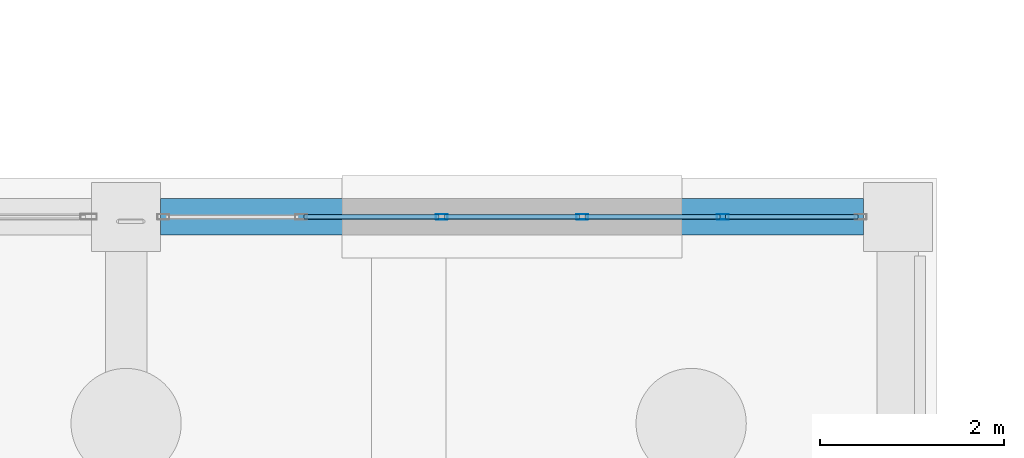
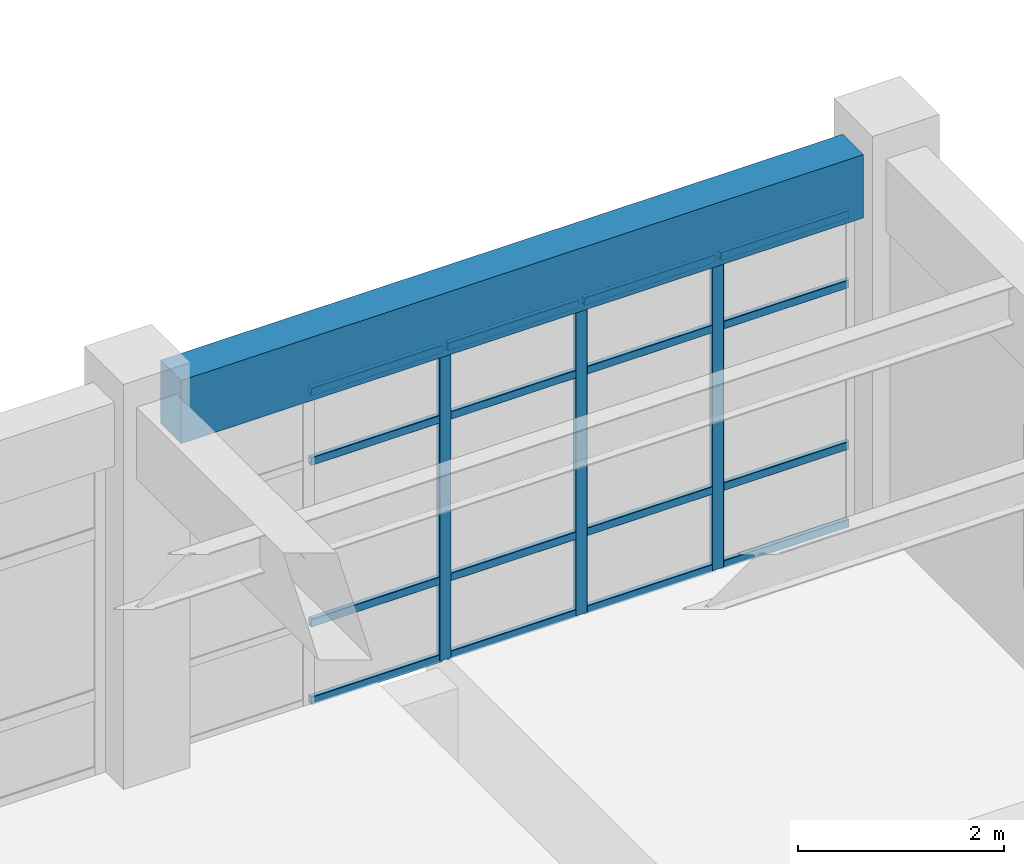
# One storey, part 40 of 111: 19 members, 1 beam, 1 element without a shape of its own.
"""IFC4 building model written with IfcOpenShell, lengths in metres."""

from ifc_helpers import new_model, si_unit, direction, frame, origin, origin_2d, place, context, subcontext, project, spatial, rectangle, hollow_rectangle, extrude, material, material_profile, profile_set, type_object, element, aggregate, save


model = new_model("IFC4")

# Units and contexts
model_context = context("Model", 3, precision=1e-05, world=origin(), true_north=direction((0.0, 1.0)))
body_context = subcontext(model_context, "Body", "Model", "MODEL_VIEW")
ifc_project = project(units=[si_unit("LENGTHUNIT", "METRE"), si_unit("AREAUNIT", "SQUARE_METRE"), si_unit("VOLUMEUNIT", "CUBIC_METRE"), si_unit("PLANEANGLEUNIT", "RADIAN"), si_unit("MASSUNIT", "GRAM", prefix="KILO")], contexts=[model_context])

# Site, building, storey
site_placement = place(None, origin())
site = spatial("IfcSite", under=ifc_project, at=site_placement, CompositionType="ELEMENT")
building_placement = place(site_placement, origin())
building = spatial("IfcBuilding", under=site, at=building_placement, Name="Canglan Escarpment Cableway Terminal", CompositionType="ELEMENT")
storey_placement = place(building_placement, frame((0.0, 0.0, 4.800048828125)))
storey = spatial("IfcBuildingStorey", under=building, at=storey_placement, Name="L01", CompositionType="ELEMENT", Elevation=4.800048828125)

# Curtain wall, members
ifc_material_1 = material(Name="Anodized bronze aluminium and Low-E double glazing", Category="aluminium")
curtain_wall_type = type_object("IfcCurtainWallType", Name="CW-BAY-7650x3725", PredefinedType="NOTDEFINED", material=ifc_material_1)
curtain_wall_placement = place(storey_placement, origin())
curtain_wall = element("IfcCurtainWall", 1, at=curtain_wall_placement, inside=storey, type_object=curtain_wall_type, Name="Classical bay-between-piers glazed curtain wall CW-01", PredefinedType="NOTDEFINED")
ifc_material_2 = material(Name="Thermally broken anodized aluminium 6063-T6", Category="aluminium")
ifc_material_profile_1 = material_profile(ifc_material_2, hollow_rectangle(XDim=0.06005859375, YDim=0.1298828125, WallThickness=0.0029296875, InnerFilletRadius=0.0029296875, OuterFilletRadius=0.006103515625, at=origin_2d()), Name="ALU-MULL 60x130x3")
ifc_profile_set_1 = profile_set([ifc_material_profile_1], Name="Thermally broken anodized aluminium 6063-T6")
member_type_1 = type_object("IfcMemberType", Name="CWM-01", PredefinedType="MULLION", material=ifc_profile_set_1)
member_1_placement = place(storey_placement, frame((134.794921875, 33.10009765625, 0.0), z_axis=(0.0, 0.0, 1.0), x_axis=(0.0, -1.0, 0.0)))
member_1 = element("IfcMember", 2, at=member_1_placement, type_object=member_type_1, Name="CW-01 mullion 2", PredefinedType="MULLION", context=body_context, shape_type="SweptSolid", body=[
    extrude(hollow_rectangle(XDim=0.06005859375, YDim=0.1298828125, WallThickness=0.0029296875, InnerFilletRadius=0.0029296875, OuterFilletRadius=0.006103515625, at=origin_2d()), origin(), (0.0, 0.0, 1.0), 3.71484375),
])
member_2_placement = place(storey_placement, frame((133.264892578125, 33.10009765625, 0.0), z_axis=(0.0, 0.0, 1.0), x_axis=(0.0, -1.0, 0.0)))
member_2 = element("IfcMember", 3, at=member_2_placement, type_object=member_type_1, Name="CW-01 mullion 3", PredefinedType="MULLION", context=body_context, shape_type="SweptSolid", body=[
    extrude(hollow_rectangle(XDim=0.06005859375, YDim=0.1298828125, WallThickness=0.0029296875, InnerFilletRadius=0.0029296875, OuterFilletRadius=0.006103515625, at=origin_2d()), origin(), (0.0, 0.0, 1.0), 3.71484375),
])
member_3_placement = place(storey_placement, frame((131.735107421875, 33.10009765625, 0.0), z_axis=(0.0, 0.0, 1.0), x_axis=(0.0, -1.0, 0.0)))
member_3 = element("IfcMember", 4, at=member_3_placement, type_object=member_type_1, Name="CW-01 mullion 4", PredefinedType="MULLION", context=body_context, shape_type="SweptSolid", body=[
    extrude(hollow_rectangle(XDim=0.06005859375, YDim=0.1298828125, WallThickness=0.0029296875, InnerFilletRadius=0.0029296875, OuterFilletRadius=0.006103515625, at=origin_2d()), origin(), (0.0, 0.0, 1.0), 3.71484375),
])
ifc_material_profile_2 = material_profile(ifc_material_2, hollow_rectangle(XDim=0.054931640625, YDim=0.094970703125, WallThickness=0.0029296875, InnerFilletRadius=0.0029296875, OuterFilletRadius=0.006103515625, at=origin_2d()), Name="ALU-TRAN 55x95x3")
ifc_profile_set_2 = profile_set([ifc_material_profile_2], Name="Thermally broken anodized aluminium 6063-T6")
member_type_2 = type_object("IfcMemberType", Name="CWT-01", PredefinedType="USERDEFINED", material=ifc_profile_set_2)
member_4_placement = place(storey_placement, frame((136.264892578125, 33.10009765625, 0.02734375), z_axis=(-1.0, 0.0, 0.0), x_axis=(0.0, -1.0, 0.0)))
member_4 = element("IfcMember", 5, at=member_4_placement, type_object=member_type_2, Name="CW-01 transom 1.1", ObjectType="TRANSOM", PredefinedType="USERDEFINED", context=body_context, shape_type="SweptSolid", body=[
    extrude(hollow_rectangle(XDim=0.054931640625, YDim=0.094970703125, WallThickness=0.0029296875, InnerFilletRadius=0.0029296875, OuterFilletRadius=0.006103515625, at=origin_2d()), origin(), (0.0, 0.0, 1.0), 1.43994140625),
])
member_5_placement = place(storey_placement, frame((136.264892578125, 33.10009765625, 0.949951171875), z_axis=(-1.0, 0.0, 0.0), x_axis=(0.0, -1.0, 0.0)))
member_5 = element("IfcMember", 6, at=member_5_placement, type_object=member_type_2, Name="CW-01 transom 1.2", ObjectType="TRANSOM", PredefinedType="USERDEFINED", context=body_context, shape_type="SweptSolid", body=[
    extrude(hollow_rectangle(XDim=0.054931640625, YDim=0.094970703125, WallThickness=0.0029296875, InnerFilletRadius=0.0029296875, OuterFilletRadius=0.006103515625, at=origin_2d()), origin(), (0.0, 0.0, 1.0), 1.43994140625),
])
member_6_placement = place(storey_placement, frame((136.264892578125, 33.10009765625, 2.864990234375), z_axis=(-1.0, 0.0, 0.0), x_axis=(0.0, -1.0, 0.0)))
member_6 = element("IfcMember", 7, at=member_6_placement, type_object=member_type_2, Name="CW-01 transom 1.3", ObjectType="TRANSOM", PredefinedType="USERDEFINED", context=body_context, shape_type="SweptSolid", body=[
    extrude(hollow_rectangle(XDim=0.054931640625, YDim=0.094970703125, WallThickness=0.0029296875, InnerFilletRadius=0.0029296875, OuterFilletRadius=0.006103515625, at=origin_2d()), origin(), (0.0, 0.0, 1.0), 1.43994140625),
])
member_7_placement = place(storey_placement, frame((136.264892578125, 33.10009765625, 3.6875), z_axis=(-1.0, 0.0, 0.0), x_axis=(0.0, -1.0, 0.0)))
member_7 = element("IfcMember", 8, at=member_7_placement, type_object=member_type_2, Name="CW-01 transom 1.4", ObjectType="TRANSOM", PredefinedType="USERDEFINED", context=body_context, shape_type="SweptSolid", body=[
    extrude(hollow_rectangle(XDim=0.054931640625, YDim=0.094970703125, WallThickness=0.0029296875, InnerFilletRadius=0.0029296875, OuterFilletRadius=0.006103515625, at=origin_2d()), origin(), (0.0, 0.0, 1.0), 1.43994140625),
])
member_8_placement = place(storey_placement, frame((134.764892578125, 33.10009765625, 0.02734375), z_axis=(-1.0, 0.0, 0.0), x_axis=(0.0, -1.0, 0.0)))
member_8 = element("IfcMember", 9, at=member_8_placement, type_object=member_type_2, Name="CW-01 transom 2.1", ObjectType="TRANSOM", PredefinedType="USERDEFINED", context=body_context, shape_type="SweptSolid", body=[
    extrude(hollow_rectangle(XDim=0.054931640625, YDim=0.094970703125, WallThickness=0.0029296875, InnerFilletRadius=0.0029296875, OuterFilletRadius=0.006103515625, at=origin_2d()), origin(), (0.0, 0.0, 1.0), 1.469970703125),
])
member_9_placement = place(storey_placement, frame((134.764892578125, 33.10009765625, 0.949951171875), z_axis=(-1.0, 0.0, 0.0), x_axis=(0.0, -1.0, 0.0)))
member_9 = element("IfcMember", 10, at=member_9_placement, type_object=member_type_2, Name="CW-01 transom 2.2", ObjectType="TRANSOM", PredefinedType="USERDEFINED", context=body_context, shape_type="SweptSolid", body=[
    extrude(hollow_rectangle(XDim=0.054931640625, YDim=0.094970703125, WallThickness=0.0029296875, InnerFilletRadius=0.0029296875, OuterFilletRadius=0.006103515625, at=origin_2d()), origin(), (0.0, 0.0, 1.0), 1.469970703125),
])
member_10_placement = place(storey_placement, frame((134.764892578125, 33.10009765625, 2.864990234375), z_axis=(-1.0, 0.0, 0.0), x_axis=(0.0, -1.0, 0.0)))
member_10 = element("IfcMember", 11, at=member_10_placement, type_object=member_type_2, Name="CW-01 transom 2.3", ObjectType="TRANSOM", PredefinedType="USERDEFINED", context=body_context, shape_type="SweptSolid", body=[
    extrude(hollow_rectangle(XDim=0.054931640625, YDim=0.094970703125, WallThickness=0.0029296875, InnerFilletRadius=0.0029296875, OuterFilletRadius=0.006103515625, at=origin_2d()), origin(), (0.0, 0.0, 1.0), 1.469970703125),
])
member_11_placement = place(storey_placement, frame((134.764892578125, 33.10009765625, 3.6875), z_axis=(-1.0, 0.0, 0.0), x_axis=(0.0, -1.0, 0.0)))
member_11 = element("IfcMember", 12, at=member_11_placement, type_object=member_type_2, Name="CW-01 transom 2.4", ObjectType="TRANSOM", PredefinedType="USERDEFINED", context=body_context, shape_type="SweptSolid", body=[
    extrude(hollow_rectangle(XDim=0.054931640625, YDim=0.094970703125, WallThickness=0.0029296875, InnerFilletRadius=0.0029296875, OuterFilletRadius=0.006103515625, at=origin_2d()), origin(), (0.0, 0.0, 1.0), 1.469970703125),
])
member_12_placement = place(storey_placement, frame((133.235107421875, 33.10009765625, 0.02734375), z_axis=(-1.0, 0.0, 0.0), x_axis=(0.0, -1.0, 0.0)))
member_12 = element("IfcMember", 13, at=member_12_placement, type_object=member_type_2, Name="CW-01 transom 3.1", ObjectType="TRANSOM", PredefinedType="USERDEFINED", context=body_context, shape_type="SweptSolid", body=[
    extrude(hollow_rectangle(XDim=0.054931640625, YDim=0.094970703125, WallThickness=0.0029296875, InnerFilletRadius=0.0029296875, OuterFilletRadius=0.006103515625, at=origin_2d()), origin(), (0.0, 0.0, 1.0), 1.47021484375),
])
member_13_placement = place(storey_placement, frame((133.235107421875, 33.10009765625, 0.949951171875), z_axis=(-1.0, 0.0, 0.0), x_axis=(0.0, -1.0, 0.0)))
member_13 = element("IfcMember", 14, at=member_13_placement, type_object=member_type_2, Name="CW-01 transom 3.2", ObjectType="TRANSOM", PredefinedType="USERDEFINED", context=body_context, shape_type="SweptSolid", body=[
    extrude(hollow_rectangle(XDim=0.054931640625, YDim=0.094970703125, WallThickness=0.0029296875, InnerFilletRadius=0.0029296875, OuterFilletRadius=0.006103515625, at=origin_2d()), origin(), (0.0, 0.0, 1.0), 1.47021484375),
])
member_14_placement = place(storey_placement, frame((133.235107421875, 33.10009765625, 2.864990234375), z_axis=(-1.0, 0.0, 0.0), x_axis=(0.0, -1.0, 0.0)))
member_14 = element("IfcMember", 15, at=member_14_placement, type_object=member_type_2, Name="CW-01 transom 3.3", ObjectType="TRANSOM", PredefinedType="USERDEFINED", context=body_context, shape_type="SweptSolid", body=[
    extrude(hollow_rectangle(XDim=0.054931640625, YDim=0.094970703125, WallThickness=0.0029296875, InnerFilletRadius=0.0029296875, OuterFilletRadius=0.006103515625, at=origin_2d()), origin(), (0.0, 0.0, 1.0), 1.47021484375),
])
member_15_placement = place(storey_placement, frame((133.235107421875, 33.10009765625, 3.6875), z_axis=(-1.0, 0.0, 0.0), x_axis=(0.0, -1.0, 0.0)))
member_15 = element("IfcMember", 16, at=member_15_placement, type_object=member_type_2, Name="CW-01 transom 3.4", ObjectType="TRANSOM", PredefinedType="USERDEFINED", context=body_context, shape_type="SweptSolid", body=[
    extrude(hollow_rectangle(XDim=0.054931640625, YDim=0.094970703125, WallThickness=0.0029296875, InnerFilletRadius=0.0029296875, OuterFilletRadius=0.006103515625, at=origin_2d()), origin(), (0.0, 0.0, 1.0), 1.47021484375),
])
member_16_placement = place(storey_placement, frame((131.705078125, 33.10009765625, 0.02734375), z_axis=(-1.0, 0.0, 0.0), x_axis=(0.0, -1.0, 0.0)))
member_16 = element("IfcMember", 17, at=member_16_placement, type_object=member_type_2, Name="CW-01 transom 4.1", ObjectType="TRANSOM", PredefinedType="USERDEFINED", context=body_context, shape_type="SweptSolid", body=[
    extrude(hollow_rectangle(XDim=0.054931640625, YDim=0.094970703125, WallThickness=0.0029296875, InnerFilletRadius=0.0029296875, OuterFilletRadius=0.006103515625, at=origin_2d()), origin(), (0.0, 0.0, 1.0), 1.469970703125),
])
member_17_placement = place(storey_placement, frame((131.705078125, 33.10009765625, 0.949951171875), z_axis=(-1.0, 0.0, 0.0), x_axis=(0.0, -1.0, 0.0)))
member_17 = element("IfcMember", 18, at=member_17_placement, type_object=member_type_2, Name="CW-01 transom 4.2", ObjectType="TRANSOM", PredefinedType="USERDEFINED", context=body_context, shape_type="SweptSolid", body=[
    extrude(hollow_rectangle(XDim=0.054931640625, YDim=0.094970703125, WallThickness=0.0029296875, InnerFilletRadius=0.0029296875, OuterFilletRadius=0.006103515625, at=origin_2d()), origin(), (0.0, 0.0, 1.0), 1.469970703125),
])
member_18_placement = place(storey_placement, frame((131.705078125, 33.10009765625, 2.864990234375), z_axis=(-1.0, 0.0, 0.0), x_axis=(0.0, -1.0, 0.0)))
member_18 = element("IfcMember", 19, at=member_18_placement, type_object=member_type_2, Name="CW-01 transom 4.3", ObjectType="TRANSOM", PredefinedType="USERDEFINED", context=body_context, shape_type="SweptSolid", body=[
    extrude(hollow_rectangle(XDim=0.054931640625, YDim=0.094970703125, WallThickness=0.0029296875, InnerFilletRadius=0.0029296875, OuterFilletRadius=0.006103515625, at=origin_2d()), origin(), (0.0, 0.0, 1.0), 1.469970703125),
])
member_19_placement = place(storey_placement, frame((131.705078125, 33.10009765625, 3.6875), z_axis=(-1.0, 0.0, 0.0), x_axis=(0.0, -1.0, 0.0)))
member_19 = element("IfcMember", 20, at=member_19_placement, type_object=member_type_2, Name="CW-01 transom 4.4", ObjectType="TRANSOM", PredefinedType="USERDEFINED", context=body_context, shape_type="SweptSolid", body=[
    extrude(hollow_rectangle(XDim=0.054931640625, YDim=0.094970703125, WallThickness=0.0029296875, InnerFilletRadius=0.0029296875, OuterFilletRadius=0.006103515625, at=origin_2d()), origin(), (0.0, 0.0, 1.0), 1.469970703125),
])
aggregate(curtain_wall, [member_1, member_2, member_3, member_4, member_5, member_6, member_7, member_8, member_9, member_10, member_11, member_12, member_13, member_14, member_15, member_16, member_17, member_18, member_19])

# Beam
ifc_material_3 = material(Name="Concrete C40", Category="concrete")
ifc_material_profile_3 = material_profile(ifc_material_3, rectangle(XDim=0.39990234375, YDim=0.75, at=origin_2d()), Name="RC 400x750")
ifc_profile_set_3 = profile_set([ifc_material_profile_3], Name="Concrete C40")
beam_type = type_object("IfcBeamType", Name="SP-RC400x750", PredefinedType="SPANDREL", material=ifc_profile_set_3)
beam_placement = place(storey_placement, frame((128.675048828125, 33.10009765625, 4.10498046875), z_axis=(1.0, 0.0, 0.0), x_axis=(0.0, 1.0, 0.0)))
element("IfcBeam", 21, at=beam_placement, inside=storey, type_object=beam_type, Name="Primary structural girder SP-01", PredefinedType="SPANDREL", context=body_context, shape_type="SweptSolid", body=[
    extrude(rectangle(XDim=0.39990234375, YDim=0.75, at=origin_2d()), origin(), (0.0, 0.0, 1.0), 7.64990234375),
])

save(model, "model.ifc")
